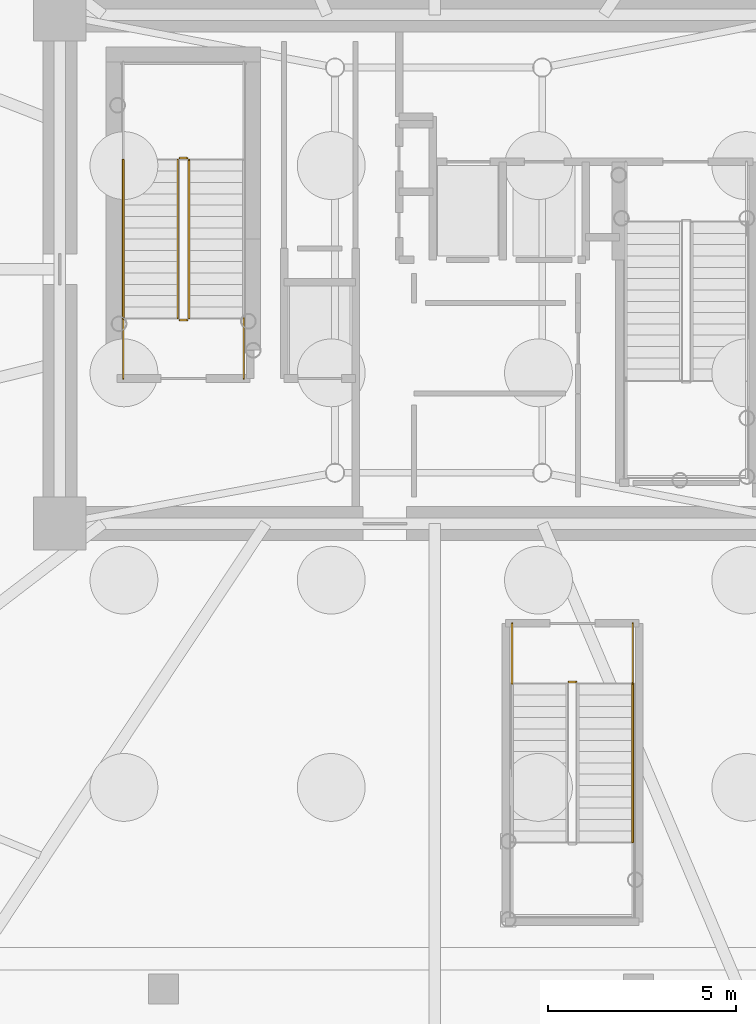
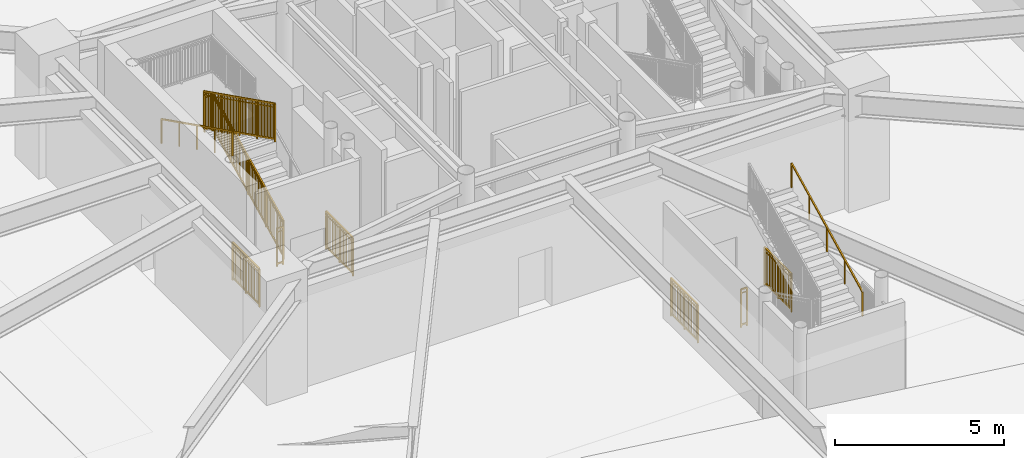
# One storey, part 14 of 18: 11 railings.
"""IFC4 building model written with IfcOpenShell, lengths in metres."""

import ifcopenshell
import ifcopenshell.guid

model = None  # the IFC model being written
_history = None  # IfcOwnerHistory: only IFC2X3 demands one
_inside = {}  # id of a spatial element -> (the spatial element, [elements in it])
_under = {}  # id of a project, library or spatial element -> (it, [spatial elements below it])
_declared = {}  # id of a project -> (the project, [libraries it declares])
_typed = {}  # id of a type object -> (the type object, [elements of that type])
_made_of = {}  # id of a material, layer set ... -> (it, [elements and type objects made of it])


def new_model(schema):
    """Start an empty IFC model of exactly this schema.

    Asked for "IFC4X3", IfcOpenShell would pick the latest addendum, in which some entities
    have other attributes; the version numbers below select the first issue.
    IFC2X3 requires an IfcOwnerHistory on every rooted entity: one is made here for all.
    """
    global model, _history
    if schema == "IFC4X3":
        model = ifcopenshell.file(schema_version=(4, 3, 0, 0))
    else:
        model = ifcopenshell.file(schema=schema)
    _inside.clear()
    _under.clear()
    _declared.clear()
    _typed.clear()
    _made_of.clear()
    _history = None
    if model.schema == "IFC2X3":
        org = make("IfcOrganization", Name="unknown")
        user = make(
            "IfcPersonAndOrganization",
            ThePerson=make("IfcPerson", FamilyName="unknown"),
            TheOrganization=org,
        )
        app = make(
            "IfcApplication",
            ApplicationDeveloper=org,
            Version="unknown",
            ApplicationFullName="unknown",
            ApplicationIdentifier="unknown",
        )
        _history = make(
            "IfcOwnerHistory",
            OwningUser=user,
            OwningApplication=app,
            ChangeAction="ADDED",
            CreationDate=0,
        )
    return model


def make(cls, **values):
    """One entity of the class cls with the attributes given. An attribute that is None is left unset."""
    return model.create_entity(
        cls, **{name: value for name, value in values.items() if value is not None}
    )


def rooted(cls, **values):
    """An entity with a GlobalId (a new one), such as an element, a storey or a relation."""
    return make(cls, GlobalId=ifcopenshell.guid.new(), OwnerHistory=_history, **values)


def si_unit(unit_type, name, prefix=None):
    """IfcSIUnit, for example si_unit("LENGTHUNIT", "METRE", prefix="MILLI")."""
    return make("IfcSIUnit", UnitType=unit_type, Prefix=prefix, Name=name)


def assignment(units):
    """IfcUnitAssignment: the units of a project."""
    return None if units is None else make("IfcUnitAssignment", Units=units)


def point(xyz):
    """IfcCartesianPoint."""
    return None if xyz is None else make("IfcCartesianPoint", Coordinates=xyz)


def direction(xyz):
    """IfcDirection."""
    return None if xyz is None else make("IfcDirection", DirectionRatios=xyz)


def frame(location, z_axis=None, x_axis=None):
    """IfcAxis2Placement3D, a coordinate frame: its origin and axes. An axis left out is left unset."""
    return make(
        "IfcAxis2Placement3D",
        Location=point(location),
        Axis=direction(z_axis),
        RefDirection=direction(x_axis),
    )


def frame_2d(location, x_axis=None):
    """IfcAxis2Placement2D, a coordinate frame in the plane: its origin and x axis."""
    return make(
        "IfcAxis2Placement2D", Location=point(location), RefDirection=direction(x_axis)
    )


def origin():
    """The frame at (0, 0, 0) with its axes left unset."""
    return frame((0.0, 0.0, 0.0))


def origin_2d():
    """The frame at (0, 0) in the plane with its x axis left unset."""
    return frame_2d((0.0, 0.0))


def place(relative_to, where):
    """IfcLocalPlacement: puts the frame where relative to a parent placement (None: the world)."""
    return make(
        "IfcLocalPlacement", PlacementRelTo=relative_to, RelativePlacement=where
    )


def context(
    kind, dimensions, precision=None, world=None, true_north=None, identifier=None
):
    """IfcGeometricRepresentationContext, for example the 3D "Model" context."""
    return make(
        "IfcGeometricRepresentationContext",
        ContextIdentifier=identifier,
        ContextType=kind,
        CoordinateSpaceDimension=dimensions,
        Precision=precision,
        WorldCoordinateSystem=world,
        TrueNorth=true_north,
    )


def subcontext(parent, identifier, kind, view, scale=None):
    """IfcGeometricRepresentationSubContext, for example "Body" below "Model"."""
    return make(
        "IfcGeometricRepresentationSubContext",
        ContextIdentifier=identifier,
        ContextType=kind,
        ParentContext=parent,
        TargetScale=scale,
        TargetView=view,
    )


def project(units=None, contexts=None):
    """IfcProject with its units and contexts."""
    return rooted(
        "IfcProject",
        Name="project",
        RepresentationContexts=contexts,
        UnitsInContext=assignment(units),
    )


def spatial(cls, under=None, at=None, **own):
    """A site, building, storey or space (cls), placed at a placement, below another one or the project."""
    s = rooted(cls, ObjectPlacement=at, **own)
    if under is not None:
        _under.setdefault(under.id(), (under, []))[1].append(s)
    return s


def profile(cls, at=None, kind="AREA", **sizes):
    """A parametric profile (cls). Its sizes go by their IFC names, for example OverallWidth=200.0."""
    return make(cls, ProfileType=kind, Position=at, **sizes)


def rectangle(**sizes):
    """IfcRectangleProfileDef."""
    return profile("IfcRectangleProfileDef", **sizes)


def extrude(swept, where, along, depth):
    """IfcExtrudedAreaSolid: the profile swept, set in the frame where, extruded along a direction by depth."""
    return make(
        "IfcExtrudedAreaSolid",
        SweptArea=swept,
        Position=where,
        ExtrudedDirection=direction(along),
        Depth=depth,
    )


def shape(context_of_items, identifier, shape_type, items):
    """IfcShapeRepresentation: the items that make up one representation, for example the "Body"."""
    return make(
        "IfcShapeRepresentation",
        ContextOfItems=context_of_items,
        RepresentationIdentifier=identifier,
        RepresentationType=shape_type,
        Items=items,
    )


def source(mapping_origin, context_of_items, identifier, shape_type, items):
    """IfcRepresentationMap: a shape defined once, which mapped items show again and again."""
    return make(
        "IfcRepresentationMap",
        MappingOrigin=mapping_origin,
        MappedRepresentation=shape(context_of_items, identifier, shape_type, items),
    )


def transform(
    local_origin,
    x_axis=None,
    y_axis=None,
    z_axis=None,
    scale=None,
    scale2=None,
    scale3=None,
    uniform=True,
):
    """IfcCartesianTransformationOperator3D, or its non-uniform kind. x_axis, y_axis, z_axis: its Axis1, 2, 3."""
    if uniform:
        return make(
            "IfcCartesianTransformationOperator3D",
            Axis1=direction(x_axis),
            Axis2=direction(y_axis),
            LocalOrigin=point(local_origin),
            Scale=scale,
            Axis3=direction(z_axis),
        )
    return make(
        "IfcCartesianTransformationOperator3DnonUniform",
        Axis1=direction(x_axis),
        Axis2=direction(y_axis),
        LocalOrigin=point(local_origin),
        Scale=scale,
        Axis3=direction(z_axis),
        Scale2=scale2,
        Scale3=scale3,
    )


def mapped(mapping_source, mapping_target):
    """IfcMappedItem: shows the shape of a source again, moved by a transform."""
    return make(
        "IfcMappedItem", MappingSource=mapping_source, MappingTarget=mapping_target
    )


def material(Name=None, Category=None):
    """IfcMaterial."""
    return make("IfcMaterial", Name=Name, Category=Category)


def made_of(thing, what):
    """Note that an element or type object is made of a material, layer set ...; save() writes the relation."""
    if what is not None:
        _made_of.setdefault(what.id(), (what, []))[1].append(thing)
    return thing


def type_object(cls, material=None, **own):
    """A type object (cls), such as IfcWallType, which elements share."""
    return made_of(rooted(cls, **own), material)


def element(
    cls,
    number,
    at=None,
    inside=None,
    cuts=None,
    type_object=None,
    material=None,
    context=None,
    identifier="Body",
    shape_type=None,
    held_by="IfcProductDefinitionShape",
    body=None,
    shapes=None,
    **own,
):
    """One element of the class cls, such as IfcWall. Its Tag is "e" and its number.

    at: its placement. inside: the storey or other place that contains it. cuts: it is an
    opening in that element (IfcRelVoidsElement). A single representation is given by context,
    identifier, shape_type and body (its items); several are given by shapes. held_by: the class
    of the entity that holds the representations. save() writes the other relations.
    """
    e = rooted(cls, Tag="e%d" % number, ObjectPlacement=at, **own)
    if body is not None:
        shapes = [shape(context, identifier, shape_type, body)]
    if shapes is not None:
        e.Representation = make(held_by, Representations=shapes)
    if inside is not None:
        _inside.setdefault(inside.id(), (inside, []))[1].append(e)
    if cuts is not None:
        rooted(
            "IfcRelVoidsElement", RelatingBuildingElement=cuts, RelatedOpeningElement=e
        )
    if type_object is not None:
        _typed.setdefault(type_object.id(), (type_object, []))[1].append(e)
    return made_of(e, material)


def aggregate(whole, parts):
    """IfcRelAggregates: a whole, such as a stair, and the parts it consists of."""
    return rooted("IfcRelAggregates", RelatingObject=whole, RelatedObjects=parts)


def save(model, path):
    """Write the relations noted so far, then the file.

    IfcRelAggregates (storeys below a building ...), IfcRelContainedInSpatialStructure (elements
    in a storey), IfcRelDefinesByType, IfcRelAssociatesMaterial and IfcRelDeclares: one each for
    every whole, place, type object, material and project.
    """
    for whole, parts in _under.values():
        aggregate(whole, parts)
    for where, things in _inside.values():
        rooted(
            "IfcRelContainedInSpatialStructure",
            RelatedElements=things,
            RelatingStructure=where,
        )
    for kind, things in _typed.values():
        rooted("IfcRelDefinesByType", RelatedObjects=things, RelatingType=kind)
    for what, things in _made_of.values():
        rooted("IfcRelAssociatesMaterial", RelatedObjects=things, RelatingMaterial=what)
    for by, libraries in _declared.values():
        rooted("IfcRelDeclares", RelatingContext=by, RelatedDefinitions=libraries)
    model.write(path)


model = new_model("IFC4")

# Units and contexts
model_context = context("Model", 3, precision=1e-05, world=origin(), true_north=direction((0.0, 1.0)))
body_context = subcontext(model_context, "Body", "Model", "MODEL_VIEW")
ifc_project = project(units=[si_unit("LENGTHUNIT", "METRE"), si_unit("AREAUNIT", "SQUARE_METRE"), si_unit("VOLUMEUNIT", "CUBIC_METRE"), si_unit("PLANEANGLEUNIT", "RADIAN"), si_unit("MASSUNIT", "GRAM", prefix="KILO")], contexts=[model_context])

# Site, building, storey
site_placement = place(None, origin())
site = spatial("IfcSite", under=ifc_project, at=site_placement, CompositionType="ELEMENT")
building_placement = place(site_placement, origin())
building = spatial("IfcBuilding", under=site, at=building_placement, Name="Linh Dai School and Residence Tower", CompositionType="ELEMENT")
storey_placement = place(building_placement, frame((0.0, 0.0, -9.0)))
storey = spatial("IfcBuildingStorey", under=building, at=storey_placement, Name="B02", CompositionType="ELEMENT", Elevation=-9.0)

# Railings
ifc_material_1 = material(Name="Structural Steel S355JR", Category="steel")
railing_type_1 = type_object("IfcRailingType", Name="RL-ST-GUARD-1400", PredefinedType="GUARDRAIL", material=ifc_material_1)
shared_shape_1 = source(origin(), body_context, "Body", "SweptSolid", [
    extrude(rectangle(XDim=0.048095703125, YDim=0.048095703125, at=origin_2d()), frame((0.0, 0.0, 1.3759765625), z_axis=(0.0, 0.894416792377, 0.447234392142), x_axis=(-1.0, 0.0, 0.0)), (0.0, 0.0, 1.0), 4.69580078125),
    extrude(rectangle(XDim=0.048095703125, YDim=0.048095703125, at=origin_2d()), frame((0.0, 0.0, 0.10009765625), z_axis=(0.0, 0.894416792377, 0.447234392142), x_axis=(-1.0, 0.0, 0.0)), (0.0, 0.0, 1.0), 4.69580078125),
    extrude(rectangle(XDim=0.030029296875, YDim=0.030029296875, at=origin_2d()), frame((0.0, 0.0, 1.239990234375), z_axis=(0.0, 0.894416792377, 0.447234392142), x_axis=(-1.0, 0.0, 0.0)), (0.0, 0.0, 1.0), 4.69580078125),
    extrude(rectangle(XDim=0.02001953125, YDim=0.02001953125, at=origin_2d()), frame((0.0, 0.08740234375, 0.143798828125)), (0.0, 0.0, 1.0), 1.251708984375),
    extrude(rectangle(XDim=0.02001953125, YDim=0.02001953125, at=origin_2d()), frame((0.0, 0.175048828125, 0.1875)), (0.0, 0.0, 1.0), 1.251708984375),
    extrude(rectangle(XDim=0.02001953125, YDim=0.02001953125, at=origin_2d()), frame((0.0, 0.262451171875, 0.2314453125)), (0.0, 0.0, 1.0), 1.251708984375),
    extrude(rectangle(XDim=0.02001953125, YDim=0.02001953125, at=origin_2d()), frame((0.0, 0.35009765625, 0.275146484375)), (0.0, 0.0, 1.0), 1.251708984375),
    extrude(rectangle(XDim=0.02001953125, YDim=0.02001953125, at=origin_2d()), frame((0.0, 0.4375, 0.31884765625)), (0.0, 0.0, 1.0), 1.251708984375),
    extrude(rectangle(XDim=0.02001953125, YDim=0.02001953125, at=origin_2d()), frame((0.0, 0.52490234375, 0.362548828125)), (0.0, 0.0, 1.0), 1.251708984375),
    extrude(rectangle(XDim=0.02001953125, YDim=0.02001953125, at=origin_2d()), frame((0.0, 0.612548828125, 0.40625)), (0.0, 0.0, 1.0), 1.251708984375),
    extrude(rectangle(XDim=0.02001953125, YDim=0.02001953125, at=origin_2d()), frame((0.0, 0.699951171875, 0.4501953125)), (0.0, 0.0, 1.0), 1.251708984375),
    extrude(rectangle(XDim=0.02001953125, YDim=0.02001953125, at=origin_2d()), frame((0.0, 0.78759765625, 0.493896484375)), (0.0, 0.0, 1.0), 1.251708984375),
    extrude(rectangle(XDim=0.02001953125, YDim=0.02001953125, at=origin_2d()), frame((0.0, 0.875, 0.53759765625)), (0.0, 0.0, 1.0), 1.251708984375),
    extrude(rectangle(XDim=0.02001953125, YDim=0.02001953125, at=origin_2d()), frame((0.0, 0.96240234375, 0.581298828125)), (0.0, 0.0, 1.0), 1.251708984375),
    extrude(rectangle(XDim=0.02001953125, YDim=0.02001953125, at=origin_2d()), frame((0.0, 1.137451171875, 0.6689453125)), (0.0, 0.0, 1.0), 1.251708984375),
    extrude(rectangle(XDim=0.02001953125, YDim=0.02001953125, at=origin_2d()), frame((0.0, 1.22509765625, 0.712646484375)), (0.0, 0.0, 1.0), 1.251708984375),
    extrude(rectangle(XDim=0.02001953125, YDim=0.02001953125, at=origin_2d()), frame((0.0, 1.3125, 0.75634765625)), (0.0, 0.0, 1.0), 1.251708984375),
    extrude(rectangle(XDim=0.02001953125, YDim=0.02001953125, at=origin_2d()), frame((0.0, 1.39990234375, 0.800048828125)), (0.0, 0.0, 1.0), 1.251708984375),
    extrude(rectangle(XDim=0.02001953125, YDim=0.02001953125, at=origin_2d()), frame((0.0, 1.487548828125, 0.843994140625)), (0.0, 0.0, 1.0), 1.251708984375),
    extrude(rectangle(XDim=0.02001953125, YDim=0.02001953125, at=origin_2d()), frame((0.0, 1.574951171875, 0.8876953125)), (0.0, 0.0, 1.0), 1.251708984375),
    extrude(rectangle(XDim=0.02001953125, YDim=0.02001953125, at=origin_2d()), frame((0.0, 1.66259765625, 0.931396484375)), (0.0, 0.0, 1.0), 1.251708984375),
    extrude(rectangle(XDim=0.02001953125, YDim=0.02001953125, at=origin_2d()), frame((0.0, 1.75, 0.97509765625)), (0.0, 0.0, 1.0), 1.251708984375),
    extrude(rectangle(XDim=0.02001953125, YDim=0.02001953125, at=origin_2d()), frame((0.0, 1.83740234375, 1.018798828125)), (0.0, 0.0, 1.0), 1.251708984375),
    extrude(rectangle(XDim=0.02001953125, YDim=0.02001953125, at=origin_2d()), frame((0.0, 1.925048828125, 1.062744140625)), (0.0, 0.0, 1.0), 1.251708984375),
    extrude(rectangle(XDim=0.02001953125, YDim=0.02001953125, at=origin_2d()), frame((0.0, 2.012451171875, 1.1064453125)), (0.0, 0.0, 1.0), 1.251708984375),
    extrude(rectangle(XDim=0.02001953125, YDim=0.02001953125, at=origin_2d()), frame((0.0, 2.1875, 1.19384765625)), (0.0, 0.0, 1.0), 1.251708984375),
    extrude(rectangle(XDim=0.02001953125, YDim=0.02001953125, at=origin_2d()), frame((0.0, 2.27490234375, 1.237548828125)), (0.0, 0.0, 1.0), 1.251708984375),
    extrude(rectangle(XDim=0.02001953125, YDim=0.02001953125, at=origin_2d()), frame((0.0, 2.362548828125, 1.281494140625)), (0.0, 0.0, 1.0), 1.251708984375),
    extrude(rectangle(XDim=0.02001953125, YDim=0.02001953125, at=origin_2d()), frame((0.0, 2.449951171875, 1.3251953125)), (0.0, 0.0, 1.0), 1.251708984375),
    extrude(rectangle(XDim=0.02001953125, YDim=0.02001953125, at=origin_2d()), frame((0.0, 2.537353515625, 1.368896484375)), (0.0, 0.0, 1.0), 1.251708984375),
    extrude(rectangle(XDim=0.02001953125, YDim=0.02001953125, at=origin_2d()), frame((0.0, 2.625, 1.41259765625)), (0.0, 0.0, 1.0), 1.251708984375),
    extrude(rectangle(XDim=0.02001953125, YDim=0.02001953125, at=origin_2d()), frame((0.0, 2.71240234375, 1.456298828125)), (0.0, 0.0, 1.0), 1.251708984375),
    extrude(rectangle(XDim=0.02001953125, YDim=0.02001953125, at=origin_2d()), frame((0.0, 2.800048828125, 1.500244140625)), (0.0, 0.0, 1.0), 1.251708984375),
    extrude(rectangle(XDim=0.02001953125, YDim=0.02001953125, at=origin_2d()), frame((0.0, 2.887451171875, 1.5439453125)), (0.0, 0.0, 1.0), 1.251708984375),
    extrude(rectangle(XDim=0.02001953125, YDim=0.02001953125, at=origin_2d()), frame((0.0, 2.974853515625, 1.587646484375)), (0.0, 0.0, 1.0), 1.251708984375),
    extrude(rectangle(XDim=0.02001953125, YDim=0.02001953125, at=origin_2d()), frame((0.0, 3.0625, 1.63134765625)), (0.0, 0.0, 1.0), 1.251708984375),
    extrude(rectangle(XDim=0.02001953125, YDim=0.02001953125, at=origin_2d()), frame((0.0, 3.237548828125, 1.718994140625)), (0.0, 0.0, 1.0), 1.251708984375),
    extrude(rectangle(XDim=0.02001953125, YDim=0.02001953125, at=origin_2d()), frame((0.0, 3.324951171875, 1.7626953125)), (0.0, 0.0, 1.0), 1.251708984375),
    extrude(rectangle(XDim=0.02001953125, YDim=0.02001953125, at=origin_2d()), frame((0.0, 3.412353515625, 1.806396484375)), (0.0, 0.0, 1.0), 1.251708984375),
    extrude(rectangle(XDim=0.02001953125, YDim=0.02001953125, at=origin_2d()), frame((0.0, 3.5, 1.85009765625)), (0.0, 0.0, 1.0), 1.251708984375),
    extrude(rectangle(XDim=0.02001953125, YDim=0.02001953125, at=origin_2d()), frame((0.0, 3.58740234375, 1.89404296875)), (0.0, 0.0, 1.0), 1.251708984375),
    extrude(rectangle(XDim=0.02001953125, YDim=0.02001953125, at=origin_2d()), frame((0.0, 3.675048828125, 1.937744140625)), (0.0, 0.0, 1.0), 1.251708984375),
    extrude(rectangle(XDim=0.02001953125, YDim=0.02001953125, at=origin_2d()), frame((0.0, 3.762451171875, 1.9814453125)), (0.0, 0.0, 1.0), 1.251708984375),
    extrude(rectangle(XDim=0.02001953125, YDim=0.02001953125, at=origin_2d()), frame((0.0, 3.849853515625, 2.025146484375)), (0.0, 0.0, 1.0), 1.251708984375),
    extrude(rectangle(XDim=0.02001953125, YDim=0.02001953125, at=origin_2d()), frame((0.0, 3.9375, 2.06884765625)), (0.0, 0.0, 1.0), 1.251708984375),
    extrude(rectangle(XDim=0.02001953125, YDim=0.02001953125, at=origin_2d()), frame((0.0, 4.02490234375, 2.11279296875)), (0.0, 0.0, 1.0), 1.251708984375),
    extrude(rectangle(XDim=0.02001953125, YDim=0.02001953125, at=origin_2d()), frame((0.0, 4.112548828125, 2.156494140625)), (0.0, 0.0, 1.0), 1.251708984375),
    extrude(rectangle(XDim=0.0419921875, YDim=0.0419921875, at=origin_2d()), origin(), (0.0, 0.0, 1.0), 1.3759765625),
    extrude(rectangle(XDim=0.0419921875, YDim=0.0419921875, at=origin_2d()), frame((0.0, 1.050048828125, 0.52490234375)), (0.0, 0.0, 1.0), 1.3759765625),
    extrude(rectangle(XDim=0.0419921875, YDim=0.0419921875, at=origin_2d()), frame((0.0, 2.10009765625, 1.050048828125)), (0.0, 0.0, 1.0), 1.3759765625),
    extrude(rectangle(XDim=0.0419921875, YDim=0.0419921875, at=origin_2d()), frame((0.0, 3.14990234375, 1.5751953125)), (0.0, 0.0, 1.0), 1.3759765625),
    extrude(rectangle(XDim=0.0419921875, YDim=0.0419921875, at=origin_2d()), frame((0.0, 4.199951171875, 2.10009765625)), (0.0, 0.0, 1.0), 1.3759765625),
])
railing_1_placement = place(storey_placement, frame((29.47998046875, 25.699951171875, 0.14990234375)))
element("IfcRailing", 1, at=railing_1_placement, inside=storey, type_object=railing_type_1, Name="B02 ST1 stair guard 1", PredefinedType="GUARDRAIL", context=body_context, shape_type="MappedRepresentation", body=[
    mapped(shared_shape_1, transform((0.0, 0.0, 0.0), x_axis=(1.0, 0.0, 0.0), y_axis=(0.0, 1.0, 0.0), z_axis=(0.0, 0.0, 1.0), scale=1.0)),
])
shared_shape_2 = source(origin(), body_context, "Body", "SweptSolid", [
    extrude(rectangle(XDim=0.048095703125, YDim=0.048095703125, at=origin_2d()), frame((0.0, 0.0, 1.3759765625), z_axis=(-1.0, 0.0, 0.0), x_axis=(0.0, -1.0, 0.0)), (0.0, 0.0, 1.0), 0.199951171875),
    extrude(rectangle(XDim=0.048095703125, YDim=0.048095703125, at=origin_2d()), frame((0.0, 0.0, 0.10009765625), z_axis=(-1.0, 0.0, 0.0), x_axis=(0.0, -1.0, 0.0)), (0.0, 0.0, 1.0), 0.199951171875),
    extrude(rectangle(XDim=0.030029296875, YDim=0.030029296875, at=origin_2d()), frame((0.0, 0.0, 1.239990234375), z_axis=(-1.0, 0.0, 0.0), x_axis=(0.0, -1.0, 0.0)), (0.0, 0.0, 1.0), 0.199951171875),
    extrude(rectangle(XDim=0.0419921875, YDim=0.0419921875, at=origin_2d()), origin(), (0.0, 0.0, 1.0), 1.3759765625),
    extrude(rectangle(XDim=0.0419921875, YDim=0.0419921875, at=origin_2d()), frame((-0.199951171875, 0.0, 0.0)), (0.0, 0.0, 1.0), 1.3759765625),
])
for number, where, name in (
    (2, (29.429931640625, 29.949951171875, 2.25), "B02 ST1 stair guard 2"),
    (3, (29.429931640625, 25.64990234375, 0.0), "B02 ST1 stair guard 7"),
):
    element("IfcRailing", number, at=place(storey_placement, frame(where)), inside=storey, type_object=railing_type_1, Name=name, PredefinedType="GUARDRAIL", context=body_context, shape_type="MappedRepresentation", body=[
        mapped(shared_shape_2, transform((0.0, 0.0, 0.0), x_axis=(1.0, 0.0, 0.0), y_axis=(0.0, 1.0, 0.0), z_axis=(0.0, 0.0, 1.0), scale=1.0)),
    ])
shared_shape_3 = source(origin(), body_context, "Body", "SweptSolid", [
    extrude(rectangle(XDim=0.048095703125, YDim=0.048095703125, at=origin_2d()), frame((0.0, 0.0, 1.3759765625), z_axis=(0.0, -0.894416792377, 0.447234392142), x_axis=(1.0, 0.0, 0.0)), (0.0, 0.0, 1.0), 4.69580078125),
    extrude(rectangle(XDim=0.048095703125, YDim=0.048095703125, at=origin_2d()), frame((0.0, 0.0, 0.10009765625), z_axis=(0.0, -0.894416792377, 0.447234392142), x_axis=(1.0, 0.0, 0.0)), (0.0, 0.0, 1.0), 4.69580078125),
    extrude(rectangle(XDim=0.030029296875, YDim=0.030029296875, at=origin_2d()), frame((0.0, 0.0, 1.239990234375), z_axis=(0.0, -0.894416792377, 0.447234392142), x_axis=(1.0, 0.0, 0.0)), (0.0, 0.0, 1.0), 4.69580078125),
    extrude(rectangle(XDim=0.02001953125, YDim=0.02001953125, at=origin_2d()), frame((0.0, -0.08740234375, 0.143798828125)), (0.0, 0.0, 1.0), 1.251708984375),
    extrude(rectangle(XDim=0.02001953125, YDim=0.02001953125, at=origin_2d()), frame((0.0, -0.175048828125, 0.1875)), (0.0, 0.0, 1.0), 1.251708984375),
    extrude(rectangle(XDim=0.02001953125, YDim=0.02001953125, at=origin_2d()), frame((0.0, -0.262451171875, 0.2314453125)), (0.0, 0.0, 1.0), 1.251708984375),
    extrude(rectangle(XDim=0.02001953125, YDim=0.02001953125, at=origin_2d()), frame((0.0, -0.35009765625, 0.275146484375)), (0.0, 0.0, 1.0), 1.251708984375),
    extrude(rectangle(XDim=0.02001953125, YDim=0.02001953125, at=origin_2d()), frame((0.0, -0.4375, 0.31884765625)), (0.0, 0.0, 1.0), 1.251708984375),
    extrude(rectangle(XDim=0.02001953125, YDim=0.02001953125, at=origin_2d()), frame((0.0, -0.52490234375, 0.362548828125)), (0.0, 0.0, 1.0), 1.251708984375),
    extrude(rectangle(XDim=0.02001953125, YDim=0.02001953125, at=origin_2d()), frame((0.0, -0.612548828125, 0.40625)), (0.0, 0.0, 1.0), 1.251708984375),
    extrude(rectangle(XDim=0.02001953125, YDim=0.02001953125, at=origin_2d()), frame((0.0, -0.699951171875, 0.4501953125)), (0.0, 0.0, 1.0), 1.251708984375),
    extrude(rectangle(XDim=0.02001953125, YDim=0.02001953125, at=origin_2d()), frame((0.0, -0.78759765625, 0.493896484375)), (0.0, 0.0, 1.0), 1.251708984375),
    extrude(rectangle(XDim=0.02001953125, YDim=0.02001953125, at=origin_2d()), frame((0.0, -0.875, 0.53759765625)), (0.0, 0.0, 1.0), 1.251708984375),
    extrude(rectangle(XDim=0.02001953125, YDim=0.02001953125, at=origin_2d()), frame((0.0, -0.96240234375, 0.581298828125)), (0.0, 0.0, 1.0), 1.251708984375),
    extrude(rectangle(XDim=0.02001953125, YDim=0.02001953125, at=origin_2d()), frame((0.0, -1.137451171875, 0.6689453125)), (0.0, 0.0, 1.0), 1.251708984375),
    extrude(rectangle(XDim=0.02001953125, YDim=0.02001953125, at=origin_2d()), frame((0.0, -1.22509765625, 0.712646484375)), (0.0, 0.0, 1.0), 1.251708984375),
    extrude(rectangle(XDim=0.02001953125, YDim=0.02001953125, at=origin_2d()), frame((0.0, -1.3125, 0.75634765625)), (0.0, 0.0, 1.0), 1.251708984375),
    extrude(rectangle(XDim=0.02001953125, YDim=0.02001953125, at=origin_2d()), frame((0.0, -1.39990234375, 0.800048828125)), (0.0, 0.0, 1.0), 1.251708984375),
    extrude(rectangle(XDim=0.02001953125, YDim=0.02001953125, at=origin_2d()), frame((0.0, -1.487548828125, 0.843994140625)), (0.0, 0.0, 1.0), 1.251708984375),
    extrude(rectangle(XDim=0.02001953125, YDim=0.02001953125, at=origin_2d()), frame((0.0, -1.574951171875, 0.8876953125)), (0.0, 0.0, 1.0), 1.251708984375),
    extrude(rectangle(XDim=0.02001953125, YDim=0.02001953125, at=origin_2d()), frame((0.0, -1.66259765625, 0.931396484375)), (0.0, 0.0, 1.0), 1.251708984375),
    extrude(rectangle(XDim=0.02001953125, YDim=0.02001953125, at=origin_2d()), frame((0.0, -1.75, 0.97509765625)), (0.0, 0.0, 1.0), 1.251708984375),
    extrude(rectangle(XDim=0.02001953125, YDim=0.02001953125, at=origin_2d()), frame((0.0, -1.83740234375, 1.018798828125)), (0.0, 0.0, 1.0), 1.251708984375),
    extrude(rectangle(XDim=0.02001953125, YDim=0.02001953125, at=origin_2d()), frame((0.0, -1.925048828125, 1.062744140625)), (0.0, 0.0, 1.0), 1.251708984375),
    extrude(rectangle(XDim=0.02001953125, YDim=0.02001953125, at=origin_2d()), frame((0.0, -2.012451171875, 1.1064453125)), (0.0, 0.0, 1.0), 1.251708984375),
    extrude(rectangle(XDim=0.02001953125, YDim=0.02001953125, at=origin_2d()), frame((0.0, -2.1875, 1.19384765625)), (0.0, 0.0, 1.0), 1.251708984375),
    extrude(rectangle(XDim=0.02001953125, YDim=0.02001953125, at=origin_2d()), frame((0.0, -2.27490234375, 1.237548828125)), (0.0, 0.0, 1.0), 1.251708984375),
    extrude(rectangle(XDim=0.02001953125, YDim=0.02001953125, at=origin_2d()), frame((0.0, -2.362548828125, 1.281494140625)), (0.0, 0.0, 1.0), 1.251708984375),
    extrude(rectangle(XDim=0.02001953125, YDim=0.02001953125, at=origin_2d()), frame((0.0, -2.449951171875, 1.3251953125)), (0.0, 0.0, 1.0), 1.251708984375),
    extrude(rectangle(XDim=0.02001953125, YDim=0.02001953125, at=origin_2d()), frame((0.0, -2.537353515625, 1.368896484375)), (0.0, 0.0, 1.0), 1.251708984375),
    extrude(rectangle(XDim=0.02001953125, YDim=0.02001953125, at=origin_2d()), frame((0.0, -2.625, 1.41259765625)), (0.0, 0.0, 1.0), 1.251708984375),
    extrude(rectangle(XDim=0.02001953125, YDim=0.02001953125, at=origin_2d()), frame((0.0, -2.71240234375, 1.456298828125)), (0.0, 0.0, 1.0), 1.251708984375),
    extrude(rectangle(XDim=0.02001953125, YDim=0.02001953125, at=origin_2d()), frame((0.0, -2.800048828125, 1.500244140625)), (0.0, 0.0, 1.0), 1.251708984375),
    extrude(rectangle(XDim=0.02001953125, YDim=0.02001953125, at=origin_2d()), frame((0.0, -2.887451171875, 1.5439453125)), (0.0, 0.0, 1.0), 1.251708984375),
    extrude(rectangle(XDim=0.02001953125, YDim=0.02001953125, at=origin_2d()), frame((0.0, -2.974853515625, 1.587646484375)), (0.0, 0.0, 1.0), 1.251708984375),
    extrude(rectangle(XDim=0.02001953125, YDim=0.02001953125, at=origin_2d()), frame((0.0, -3.0625, 1.63134765625)), (0.0, 0.0, 1.0), 1.251708984375),
    extrude(rectangle(XDim=0.02001953125, YDim=0.02001953125, at=origin_2d()), frame((0.0, -3.237548828125, 1.718994140625)), (0.0, 0.0, 1.0), 1.251708984375),
    extrude(rectangle(XDim=0.02001953125, YDim=0.02001953125, at=origin_2d()), frame((0.0, -3.324951171875, 1.7626953125)), (0.0, 0.0, 1.0), 1.251708984375),
    extrude(rectangle(XDim=0.02001953125, YDim=0.02001953125, at=origin_2d()), frame((0.0, -3.412353515625, 1.806396484375)), (0.0, 0.0, 1.0), 1.251708984375),
    extrude(rectangle(XDim=0.02001953125, YDim=0.02001953125, at=origin_2d()), frame((0.0, -3.5, 1.85009765625)), (0.0, 0.0, 1.0), 1.251708984375),
    extrude(rectangle(XDim=0.02001953125, YDim=0.02001953125, at=origin_2d()), frame((0.0, -3.58740234375, 1.89404296875)), (0.0, 0.0, 1.0), 1.251708984375),
    extrude(rectangle(XDim=0.02001953125, YDim=0.02001953125, at=origin_2d()), frame((0.0, -3.675048828125, 1.937744140625)), (0.0, 0.0, 1.0), 1.251708984375),
    extrude(rectangle(XDim=0.02001953125, YDim=0.02001953125, at=origin_2d()), frame((0.0, -3.762451171875, 1.9814453125)), (0.0, 0.0, 1.0), 1.251708984375),
    extrude(rectangle(XDim=0.02001953125, YDim=0.02001953125, at=origin_2d()), frame((0.0, -3.849853515625, 2.025146484375)), (0.0, 0.0, 1.0), 1.251708984375),
    extrude(rectangle(XDim=0.02001953125, YDim=0.02001953125, at=origin_2d()), frame((0.0, -3.9375, 2.06884765625)), (0.0, 0.0, 1.0), 1.251708984375),
    extrude(rectangle(XDim=0.02001953125, YDim=0.02001953125, at=origin_2d()), frame((0.0, -4.02490234375, 2.11279296875)), (0.0, 0.0, 1.0), 1.251708984375),
    extrude(rectangle(XDim=0.02001953125, YDim=0.02001953125, at=origin_2d()), frame((0.0, -4.112548828125, 2.156494140625)), (0.0, 0.0, 1.0), 1.251708984375),
    extrude(rectangle(XDim=0.0419921875, YDim=0.0419921875, at=origin_2d()), origin(), (0.0, 0.0, 1.0), 1.3759765625),
    extrude(rectangle(XDim=0.0419921875, YDim=0.0419921875, at=origin_2d()), frame((0.0, -1.050048828125, 0.52490234375)), (0.0, 0.0, 1.0), 1.3759765625),
    extrude(rectangle(XDim=0.0419921875, YDim=0.0419921875, at=origin_2d()), frame((0.0, -2.10009765625, 1.050048828125)), (0.0, 0.0, 1.0), 1.3759765625),
    extrude(rectangle(XDim=0.0419921875, YDim=0.0419921875, at=origin_2d()), frame((0.0, -3.14990234375, 1.5751953125)), (0.0, 0.0, 1.0), 1.3759765625),
    extrude(rectangle(XDim=0.0419921875, YDim=0.0419921875, at=origin_2d()), frame((0.0, -4.199951171875, 2.10009765625)), (0.0, 0.0, 1.0), 1.3759765625),
])
railing_2_placement = place(storey_placement, frame((29.179931640625, 29.89990234375, 2.39990234375)))
element("IfcRailing", 4, at=railing_2_placement, inside=storey, type_object=railing_type_1, Name="B02 ST1 stair guard 6", PredefinedType="GUARDRAIL", context=body_context, shape_type="MappedRepresentation", body=[
    mapped(shared_shape_3, transform((0.0, 0.0, 0.0), x_axis=(1.0, 0.0, 0.0), y_axis=(0.0, 1.0, 0.0), z_axis=(0.0, 0.0, 1.0), scale=1.0)),
])
shared_shape_4 = source(origin(), body_context, "Body", "SweptSolid", [
    extrude(rectangle(XDim=0.048095703125, YDim=0.048095703125, at=origin_2d()), frame((0.0, 0.0, 1.3759765625), z_axis=(0.0, 1.0, 0.0), x_axis=(-1.0, 0.0, 0.0)), (0.0, 0.0, 1.0), 1.599853515625),
    extrude(rectangle(XDim=0.048095703125, YDim=0.048095703125, at=origin_2d()), frame((0.0, 0.0, 0.10009765625), z_axis=(0.0, 1.0, 0.0), x_axis=(-1.0, 0.0, 0.0)), (0.0, 0.0, 1.0), 1.599853515625),
    extrude(rectangle(XDim=0.030029296875, YDim=0.030029296875, at=origin_2d()), frame((0.0, 0.0, 1.239990234375), z_axis=(0.0, 1.0, 0.0), x_axis=(-1.0, 0.0, 0.0)), (0.0, 0.0, 1.0), 1.599853515625),
    extrude(rectangle(XDim=0.02001953125, YDim=0.02001953125, at=origin_2d()), frame((0.0, 0.093994140625, 0.10009765625)), (0.0, 0.0, 1.0), 1.251708984375),
    extrude(rectangle(XDim=0.02001953125, YDim=0.02001953125, at=origin_2d()), frame((0.0, 0.188232421875, 0.10009765625)), (0.0, 0.0, 1.0), 1.251708984375),
    extrude(rectangle(XDim=0.02001953125, YDim=0.02001953125, at=origin_2d()), frame((0.0, 0.2822265625, 0.10009765625)), (0.0, 0.0, 1.0), 1.251708984375),
    extrude(rectangle(XDim=0.02001953125, YDim=0.02001953125, at=origin_2d()), frame((0.0, 0.37646484375, 0.10009765625)), (0.0, 0.0, 1.0), 1.251708984375),
    extrude(rectangle(XDim=0.02001953125, YDim=0.02001953125, at=origin_2d()), frame((0.0, 0.470458984375, 0.10009765625)), (0.0, 0.0, 1.0), 1.251708984375),
    extrude(rectangle(XDim=0.02001953125, YDim=0.02001953125, at=origin_2d()), frame((0.0, 0.564697265625, 0.10009765625)), (0.0, 0.0, 1.0), 1.251708984375),
    extrude(rectangle(XDim=0.02001953125, YDim=0.02001953125, at=origin_2d()), frame((0.0, 0.65869140625, 0.10009765625)), (0.0, 0.0, 1.0), 1.251708984375),
    extrude(rectangle(XDim=0.02001953125, YDim=0.02001953125, at=origin_2d()), frame((0.0, 0.7529296875, 0.10009765625)), (0.0, 0.0, 1.0), 1.251708984375),
    extrude(rectangle(XDim=0.02001953125, YDim=0.02001953125, at=origin_2d()), frame((0.0, 0.846923828125, 0.10009765625)), (0.0, 0.0, 1.0), 1.251708984375),
    extrude(rectangle(XDim=0.02001953125, YDim=0.02001953125, at=origin_2d()), frame((0.0, 0.941162109375, 0.10009765625)), (0.0, 0.0, 1.0), 1.251708984375),
    extrude(rectangle(XDim=0.02001953125, YDim=0.02001953125, at=origin_2d()), frame((0.0, 1.03515625, 0.10009765625)), (0.0, 0.0, 1.0), 1.251708984375),
    extrude(rectangle(XDim=0.02001953125, YDim=0.02001953125, at=origin_2d()), frame((0.0, 1.12939453125, 0.10009765625)), (0.0, 0.0, 1.0), 1.251708984375),
    extrude(rectangle(XDim=0.02001953125, YDim=0.02001953125, at=origin_2d()), frame((0.0, 1.223388671875, 0.10009765625)), (0.0, 0.0, 1.0), 1.251708984375),
    extrude(rectangle(XDim=0.02001953125, YDim=0.02001953125, at=origin_2d()), frame((0.0, 1.317626953125, 0.10009765625)), (0.0, 0.0, 1.0), 1.251708984375),
    extrude(rectangle(XDim=0.02001953125, YDim=0.02001953125, at=origin_2d()), frame((0.0, 1.41162109375, 0.10009765625)), (0.0, 0.0, 1.0), 1.251708984375),
    extrude(rectangle(XDim=0.02001953125, YDim=0.02001953125, at=origin_2d()), frame((0.0, 1.505859375, 0.10009765625)), (0.0, 0.0, 1.0), 1.251708984375),
    extrude(rectangle(XDim=0.0419921875, YDim=0.0419921875, at=origin_2d()), origin(), (0.0, 0.0, 1.0), 1.3759765625),
    extrude(rectangle(XDim=0.0419921875, YDim=0.0419921875, at=origin_2d()), frame((0.0, 0.7998046875, 0.0)), (0.0, 0.0, 1.0), 1.3759765625),
    extrude(rectangle(XDim=0.0419921875, YDim=0.0419921875, at=origin_2d()), frame((0.0, 1.599853515625, 0.0)), (0.0, 0.0, 1.0), 1.3759765625),
])
for number, where, name in (
    (5, (30.929931640625, 24.10009765625, 0.0), "B02 ST1 stair guard 8"),
    (6, (27.72998046875, 24.10009765625, 0.0), "B02 ST1 stair guard 9"),
):
    element("IfcRailing", number, at=place(storey_placement, frame(where)), inside=storey, type_object=railing_type_1, Name=name, PredefinedType="GUARDRAIL", context=body_context, shape_type="MappedRepresentation", body=[
        mapped(shared_shape_4, transform((0.0, 0.0, 0.0), x_axis=(1.0, 0.0, 0.0), y_axis=(0.0, 1.0, 0.0), z_axis=(0.0, 0.0, 1.0), scale=1.0)),
    ])
ifc_material_2 = material(Name="Brushed Stainless Steel Handrail", Category="steel")
railing_type_2 = type_object("IfcRailingType", Name="RL-ST-HANDRAIL-900", PredefinedType="HANDRAIL", material=ifc_material_2)
shared_shape_5 = source(origin(), body_context, "Body", "SweptSolid", [
    extrude(rectangle(XDim=0.048095703125, YDim=0.048095703125, at=origin_2d()), frame((0.0, 0.0, 0.8759765625), z_axis=(0.0, 0.894416792377, 0.447234392142), x_axis=(-1.0, 0.0, 0.0)), (0.0, 0.0, 1.0), 4.69580078125),
    extrude(rectangle(XDim=0.0419921875, YDim=0.0419921875, at=origin_2d()), origin(), (0.0, 0.0, 1.0), 0.8759765625),
    extrude(rectangle(XDim=0.0419921875, YDim=0.0419921875, at=origin_2d()), frame((0.0, 1.050048828125, 0.52490234375)), (0.0, 0.0, 1.0), 0.8759765625),
    extrude(rectangle(XDim=0.0419921875, YDim=0.0419921875, at=origin_2d()), frame((0.0, 2.10009765625, 1.050048828125)), (0.0, 0.0, 1.0), 0.8759765625),
    extrude(rectangle(XDim=0.0419921875, YDim=0.0419921875, at=origin_2d()), frame((0.0, 3.14990234375, 1.5751953125)), (0.0, 0.0, 1.0), 0.8759765625),
    extrude(rectangle(XDim=0.0419921875, YDim=0.0419921875, at=origin_2d()), frame((0.0, 4.199951171875, 2.10009765625)), (0.0, 0.0, 1.0), 0.8759765625),
])
railing_3_placement = place(storey_placement, frame((41.25, 11.800048828125, 2.39990234375)))
element("IfcRailing", 7, at=railing_3_placement, inside=storey, type_object=railing_type_2, Name="B02 STB1 stair handrail 2", PredefinedType="HANDRAIL", context=body_context, shape_type="MappedRepresentation", body=[
    mapped(shared_shape_5, transform((0.0, 0.0, 0.0), x_axis=(1.0, 0.0, 0.0), y_axis=(0.0, 1.0, 0.0), z_axis=(0.0, 0.0, 1.0), scale=1.0)),
])
shared_shape_6 = source(origin(), body_context, "Body", "SweptSolid", [
    extrude(rectangle(XDim=0.048095703125, YDim=0.048095703125, at=origin_2d()), frame((0.0, 0.0, 0.8759765625), z_axis=(0.0, -0.894416792377, 0.447234392142), x_axis=(1.0, 0.0, 0.0)), (0.0, 0.0, 1.0), 4.69580078125),
    extrude(rectangle(XDim=0.0419921875, YDim=0.0419921875, at=origin_2d()), origin(), (0.0, 0.0, 1.0), 0.8759765625),
    extrude(rectangle(XDim=0.0419921875, YDim=0.0419921875, at=origin_2d()), frame((0.0, -1.050048828125, 0.52490234375)), (0.0, 0.0, 1.0), 0.8759765625),
    extrude(rectangle(XDim=0.0419921875, YDim=0.0419921875, at=origin_2d()), frame((0.0, -2.10009765625, 1.050048828125)), (0.0, 0.0, 1.0), 0.8759765625),
    extrude(rectangle(XDim=0.0419921875, YDim=0.0419921875, at=origin_2d()), frame((0.0, -3.14990234375, 1.5751953125)), (0.0, 0.0, 1.0), 0.8759765625),
    extrude(rectangle(XDim=0.0419921875, YDim=0.0419921875, at=origin_2d()), frame((0.0, -4.199951171875, 2.10009765625)), (0.0, 0.0, 1.0), 0.8759765625),
])
railing_4_placement = place(storey_placement, frame((27.72998046875, 29.89990234375, 2.39990234375)))
element("IfcRailing", 8, at=railing_4_placement, inside=storey, type_object=railing_type_2, Name="B02 ST1 stair handrail 2", PredefinedType="HANDRAIL", context=body_context, shape_type="MappedRepresentation", body=[
    mapped(shared_shape_6, transform((0.0, 0.0, 0.0), x_axis=(1.0, 0.0, 0.0), y_axis=(0.0, 1.0, 0.0), z_axis=(0.0, 0.0, 1.0), scale=1.0)),
])
shared_shape_7 = source(origin(), body_context, "Body", "SweptSolid", [
    extrude(rectangle(XDim=0.048095703125, YDim=0.048095703125, at=origin_2d()), frame((0.0, 0.0, 1.3759765625), z_axis=(1.0, 0.0, 0.0), x_axis=(0.0, 1.0, 0.0)), (0.0, 0.0, 1.0), 0.199951171875),
    extrude(rectangle(XDim=0.048095703125, YDim=0.048095703125, at=origin_2d()), frame((0.0, 0.0, 0.10009765625), z_axis=(1.0, 0.0, 0.0), x_axis=(0.0, 1.0, 0.0)), (0.0, 0.0, 1.0), 0.199951171875),
    extrude(rectangle(XDim=0.030029296875, YDim=0.030029296875, at=origin_2d()), frame((0.0, 0.0, 1.239990234375), z_axis=(1.0, 0.0, 0.0), x_axis=(0.0, 1.0, 0.0)), (0.0, 0.0, 1.0), 0.199951171875),
    extrude(rectangle(XDim=0.0419921875, YDim=0.0419921875, at=origin_2d()), origin(), (0.0, 0.0, 1.0), 1.3759765625),
    extrude(rectangle(XDim=0.0419921875, YDim=0.0419921875, at=origin_2d()), frame((0.199951171875, 0.0, 0.0)), (0.0, 0.0, 1.0), 1.3759765625),
])
railing_5_placement = place(storey_placement, frame((39.550048828125, 16.050048828125, 0.0)))
element("IfcRailing", 9, at=railing_5_placement, inside=storey, type_object=railing_type_1, Name="B02 STB1 stair guard 7", PredefinedType="GUARDRAIL", context=body_context, shape_type="MappedRepresentation", body=[
    mapped(shared_shape_7, transform((0.0, 0.0, 0.0), x_axis=(1.0, 0.0, 0.0), y_axis=(0.0, 1.0, 0.0), z_axis=(0.0, 0.0, 1.0), scale=1.0)),
])
shared_shape_8 = source(origin(), body_context, "Body", "SweptSolid", [
    extrude(rectangle(XDim=0.048095703125, YDim=0.048095703125, at=origin_2d()), frame((0.0, 0.0, 1.3759765625), z_axis=(0.0, -1.0, 0.0), x_axis=(1.0, 0.0, 0.0)), (0.0, 0.0, 1.0), 1.60009765625),
    extrude(rectangle(XDim=0.048095703125, YDim=0.048095703125, at=origin_2d()), frame((0.0, 0.0, 0.10009765625), z_axis=(0.0, -1.0, 0.0), x_axis=(1.0, 0.0, 0.0)), (0.0, 0.0, 1.0), 1.60009765625),
    extrude(rectangle(XDim=0.030029296875, YDim=0.030029296875, at=origin_2d()), frame((0.0, 0.0, 1.239990234375), z_axis=(0.0, -1.0, 0.0), x_axis=(1.0, 0.0, 0.0)), (0.0, 0.0, 1.0), 1.60009765625),
    extrude(rectangle(XDim=0.02001953125, YDim=0.02001953125, at=origin_2d()), frame((0.0, -0.09423828125, 0.10009765625)), (0.0, 0.0, 1.0), 1.251708984375),
    extrude(rectangle(XDim=0.02001953125, YDim=0.02001953125, at=origin_2d()), frame((0.0, -0.188232421875, 0.10009765625)), (0.0, 0.0, 1.0), 1.251708984375),
    extrude(rectangle(XDim=0.02001953125, YDim=0.02001953125, at=origin_2d()), frame((0.0, -0.282470703125, 0.10009765625)), (0.0, 0.0, 1.0), 1.251708984375),
    extrude(rectangle(XDim=0.02001953125, YDim=0.02001953125, at=origin_2d()), frame((0.0, -0.37646484375, 0.10009765625)), (0.0, 0.0, 1.0), 1.251708984375),
    extrude(rectangle(XDim=0.02001953125, YDim=0.02001953125, at=origin_2d()), frame((0.0, -0.470703125, 0.10009765625)), (0.0, 0.0, 1.0), 1.251708984375),
    extrude(rectangle(XDim=0.02001953125, YDim=0.02001953125, at=origin_2d()), frame((0.0, -0.564697265625, 0.10009765625)), (0.0, 0.0, 1.0), 1.251708984375),
    extrude(rectangle(XDim=0.02001953125, YDim=0.02001953125, at=origin_2d()), frame((0.0, -0.658935546875, 0.10009765625)), (0.0, 0.0, 1.0), 1.251708984375),
    extrude(rectangle(XDim=0.02001953125, YDim=0.02001953125, at=origin_2d()), frame((0.0, -0.7529296875, 0.10009765625)), (0.0, 0.0, 1.0), 1.251708984375),
    extrude(rectangle(XDim=0.02001953125, YDim=0.02001953125, at=origin_2d()), frame((0.0, -0.84716796875, 0.10009765625)), (0.0, 0.0, 1.0), 1.251708984375),
    extrude(rectangle(XDim=0.02001953125, YDim=0.02001953125, at=origin_2d()), frame((0.0, -0.941162109375, 0.10009765625)), (0.0, 0.0, 1.0), 1.251708984375),
    extrude(rectangle(XDim=0.02001953125, YDim=0.02001953125, at=origin_2d()), frame((0.0, -1.035400390625, 0.10009765625)), (0.0, 0.0, 1.0), 1.251708984375),
    extrude(rectangle(XDim=0.02001953125, YDim=0.02001953125, at=origin_2d()), frame((0.0, -1.12939453125, 0.10009765625)), (0.0, 0.0, 1.0), 1.251708984375),
    extrude(rectangle(XDim=0.02001953125, YDim=0.02001953125, at=origin_2d()), frame((0.0, -1.2236328125, 0.10009765625)), (0.0, 0.0, 1.0), 1.251708984375),
    extrude(rectangle(XDim=0.02001953125, YDim=0.02001953125, at=origin_2d()), frame((0.0, -1.317626953125, 0.10009765625)), (0.0, 0.0, 1.0), 1.251708984375),
    extrude(rectangle(XDim=0.02001953125, YDim=0.02001953125, at=origin_2d()), frame((0.0, -1.411865234375, 0.10009765625)), (0.0, 0.0, 1.0), 1.251708984375),
    extrude(rectangle(XDim=0.02001953125, YDim=0.02001953125, at=origin_2d()), frame((0.0, -1.505859375, 0.10009765625)), (0.0, 0.0, 1.0), 1.251708984375),
    extrude(rectangle(XDim=0.0419921875, YDim=0.0419921875, at=origin_2d()), origin(), (0.0, 0.0, 1.0), 1.3759765625),
    extrude(rectangle(XDim=0.0419921875, YDim=0.0419921875, at=origin_2d()), frame((0.0, -0.800048828125, 0.0)), (0.0, 0.0, 1.0), 1.3759765625),
    extrude(rectangle(XDim=0.0419921875, YDim=0.0419921875, at=origin_2d()), frame((0.0, -1.60009765625, 0.0)), (0.0, 0.0, 1.0), 1.3759765625),
])
for number, where, name in (
    (10, (38.050048828125, 17.60009765625, 0.0), "B02 STB1 stair guard 8"),
    (11, (41.25, 17.60009765625, 0.0), "B02 STB1 stair guard 9"),
):
    element("IfcRailing", number, at=place(storey_placement, frame(where)), inside=storey, type_object=railing_type_1, Name=name, PredefinedType="GUARDRAIL", context=body_context, shape_type="MappedRepresentation", body=[
        mapped(shared_shape_8, transform((0.0, 0.0, 0.0), x_axis=(1.0, 0.0, 0.0), y_axis=(0.0, 1.0, 0.0), z_axis=(0.0, 0.0, 1.0), scale=1.0)),
    ])

save(model, "model.ifc")
